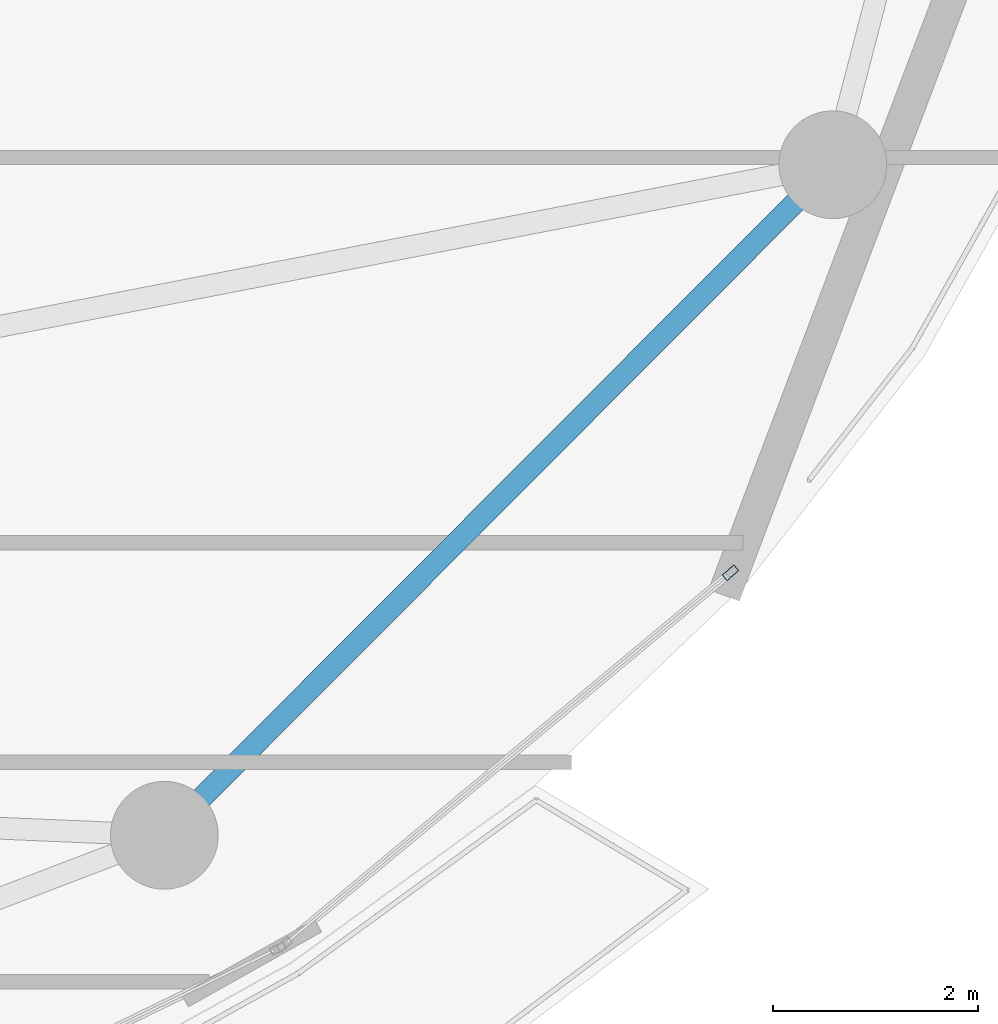
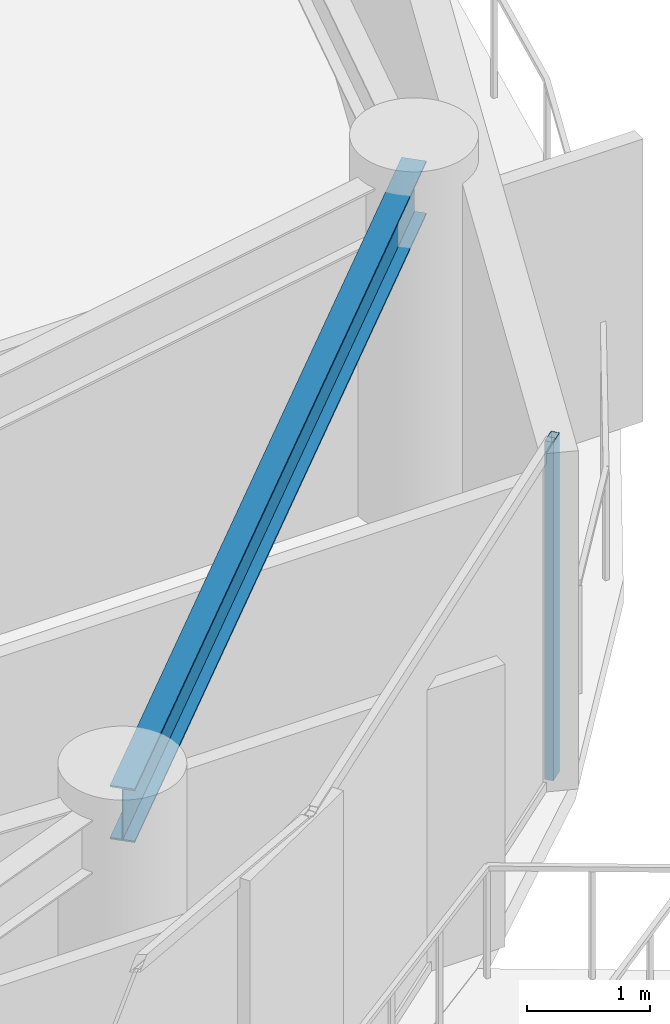
# One storey, part 13 of 29: 1 beam, 1 member, 1 element without a shape of its own.
"""IFC4 building model written with IfcOpenShell, lengths in metres."""

from ifc_helpers import new_model, si_unit, direction, frame, origin, origin_2d, place, context, subcontext, project, spatial, hollow_rectangle, i_section, extrude, material, layer, layer_set, material_profile, profile_set, type_object, element, aggregate, save


model = new_model("IFC4")

# Units and contexts
model_context = context("Model", 3, precision=1e-05, world=origin(), true_north=direction((0.0, 1.0)))
body_context = subcontext(model_context, "Body", "Model", "MODEL_VIEW")
ifc_project = project(units=[si_unit("LENGTHUNIT", "METRE"), si_unit("AREAUNIT", "SQUARE_METRE"), si_unit("VOLUMEUNIT", "CUBIC_METRE"), si_unit("PLANEANGLEUNIT", "RADIAN"), si_unit("MASSUNIT", "GRAM", prefix="KILO")], contexts=[model_context])

# Site, building, storey
site_placement = place(None, origin())
site = spatial("IfcSite", under=ifc_project, at=site_placement, CompositionType="ELEMENT")
building_placement = place(site_placement, origin())
building = spatial("IfcBuilding", under=site, at=building_placement, Name="Kazevale Care Tower and Concert Hall", CompositionType="ELEMENT")
storey_placement = place(building_placement, frame((0.0, 0.0, 199.199951171875)))
storey = spatial("IfcBuildingStorey", under=building, at=storey_placement, Name="L52", CompositionType="ELEMENT", Elevation=199.199951171875)

# Curtain wall, member
ifc_material_1 = material(Name="Aluminium 6063-T6 and Low-E Glass", Category="aluminium")
ifc_layer = layer(ifc_material_1, 0.179931640625)
ifc_layer_set = layer_set([ifc_layer], Name="Aluminium 6063-T6 and Low-E Glass")
curtain_wall_type = type_object("IfcCurtainWallType", Name="Sheltered Concave Balcony Curtain Wall CW-5", PredefinedType="NOTDEFINED", material=ifc_layer_set)
curtain_wall_placement = place(storey_placement, origin())
curtain_wall = element("IfcCurtainWall", 1, at=curtain_wall_placement, inside=storey, type_object=curtain_wall_type, Name="cw:L52:f02", PredefinedType="NOTDEFINED")
ifc_material_2 = material(Name="Aluminium 6063-T6", Category="aluminium")
ifc_material_profile_1 = material_profile(ifc_material_2, hollow_rectangle(XDim=0.074951171875, YDim=0.14990234375, WallThickness=0.00390625, at=origin_2d()), Name="ALU75x150x4")
ifc_profile_set_1 = profile_set([ifc_material_profile_1], Name="Aluminium 6063-T6")
member_type = type_object("IfcMemberType", Name="CW-5 Mullion ALU75x150x4", PredefinedType="MULLION", material=ifc_profile_set_1)
member_placement = place(storey_placement, frame((71.76318359375, 25.2060546875, 0.0), z_axis=(0.0, 0.0, 1.0), x_axis=(0.639961217204, -0.768407210062, 0.0)))
member = element("IfcMember", 2, at=member_placement, type_object=member_type, Name="CW-5 mullion 1", PredefinedType="MULLION", context=body_context, shape_type="SweptSolid", body=[
    extrude(hollow_rectangle(XDim=0.074951171875, YDim=0.14990234375, WallThickness=0.00390625, at=origin_2d()), origin(), (0.0, 0.0, 1.0), 3.360107421875),
])
aggregate(curtain_wall, [member])

# Beam
ifc_material_3 = material(Name="Steel ASTM A572 Gr 50", Category="steel")
ifc_material_profile_2 = material_profile(ifc_material_3, i_section(OverallWidth=0.208984375, OverallDepth=0.532958984375, WebThickness=0.01025390625, FlangeThickness=0.015625, at=origin_2d()), Name="W530x92")
ifc_profile_set_2 = profile_set([ifc_material_profile_2], Name="Steel ASTM A572 Gr 50")
beam_type = type_object("IfcBeamType", Name="Upper Ring Beam W530x92", PredefinedType="BEAM", material=ifc_profile_set_2)
beam_placement = place(storey_placement, frame((66.25, 22.64990234375, 3.093505859375), z_axis=(0.706020373708, 0.708191522054, 0.0), x_axis=(-0.708191522054, 0.706020373708, 0.0)))
element("IfcBeam", 3, at=beam_placement, inside=storey, type_object=beam_type, Name="beam:L52:ring:15", PredefinedType="BEAM", context=body_context, shape_type="SweptSolid", body=[
    extrude(i_section(OverallWidth=0.208984375, OverallDepth=0.532958984375, WebThickness=0.01025390625, FlangeThickness=0.015625, at=origin_2d()), origin(), (0.0, 0.0, 1.0), 9.220703125),
])

save(model, "model.ifc")
